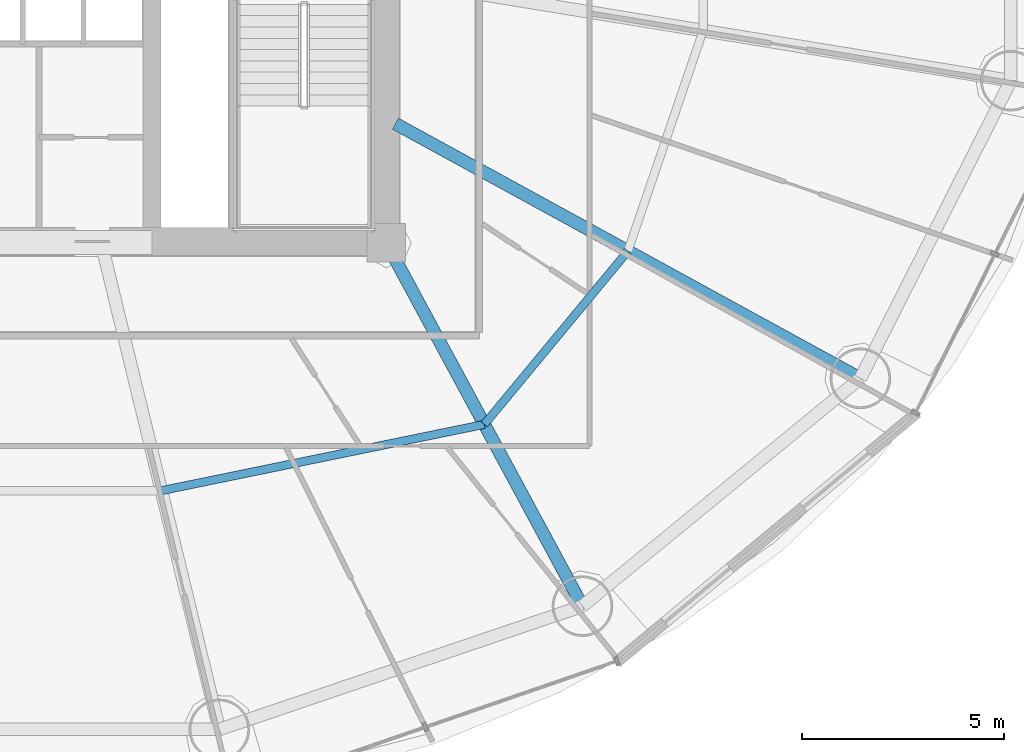
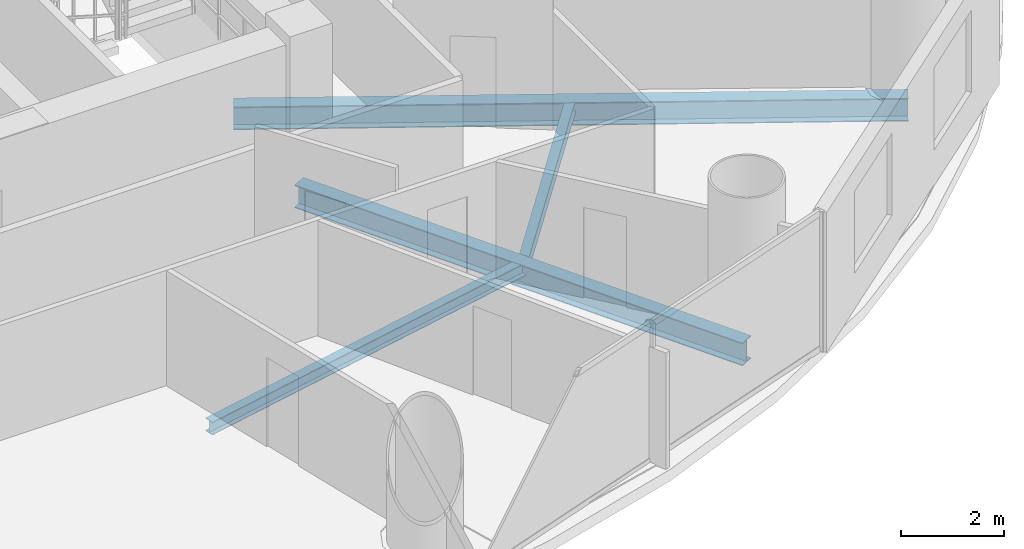
# One storey, part 12 of 29: 4 beams.
"""IFC4 building model written with IfcOpenShell, lengths in metres."""

from ifc_helpers import new_model, si_unit, direction, frame, origin, origin_2d, place, context, subcontext, project, spatial, i_section, extrude, material, material_profile, profile_set, type_object, element, save


model = new_model("IFC4")

# Units and contexts
model_context = context("Model", 3, precision=1e-05, world=origin(), true_north=direction((-0.2419218956, 0.970295726276)))
body_context = subcontext(model_context, "Body", "Model", "MODEL_VIEW")
ifc_project = project(units=[si_unit("LENGTHUNIT", "METRE"), si_unit("AREAUNIT", "SQUARE_METRE"), si_unit("VOLUMEUNIT", "CUBIC_METRE"), si_unit("PLANEANGLEUNIT", "RADIAN"), si_unit("MASSUNIT", "GRAM", prefix="KILO")], contexts=[model_context])

# Site, building, storey
site_placement = place(None, origin())
site = spatial("IfcSite", under=ifc_project, at=site_placement, CompositionType="ELEMENT")
building_placement = place(site_placement, origin())
building = spatial("IfcBuilding", under=site, at=building_placement, Name="Cobrevalo Terracotta Tower", CompositionType="ELEMENT")
storey_placement = place(building_placement, frame((0.0, 0.0, 112.199951171875)))
storey = spatial("IfcBuildingStorey", under=building, at=storey_placement, Name="L29", CompositionType="ELEMENT", Elevation=112.199951171875)

# Beams
ifc_material = material(Name="Steel S355", Category="steel")
ifc_material_profile_1 = material_profile(ifc_material, i_section(OverallWidth=0.31201171875, OverallDepth=0.54296875, WebThickness=0.0126953125, FlangeThickness=0.020263671875, at=origin_2d()), Name="W 530x150")
ifc_profile_set_1 = profile_set([ifc_material_profile_1], Name="Steel S355")
beam_type_1 = type_object("IfcBeamType", Name="Structural Beam W 530x150 (Steel S355)", PredefinedType="BEAM", material=ifc_profile_set_1)
beam_1_placement = place(storey_placement, frame((51.861572265625, 9.79638671875, -0.54638671875), z_axis=(-0.475118249298, 0.879921956303, 0.0), x_axis=(-0.879921956303, -0.475118249298, 0.0)))
element("IfcBeam", 1, at=beam_1_placement, inside=storey, type_object=beam_type_1, Name="L29 radial floor girder 14", PredefinedType="BEAM", context=body_context, shape_type="SweptSolid", body=[
    extrude(i_section(OverallWidth=0.31201171875, OverallDepth=0.54296875, WebThickness=0.0126953125, FlangeThickness=0.020263671875, at=origin_2d()), origin(), (0.0, 0.0, 1.0), 10.232421875),
])
beam_2_placement = place(storey_placement, frame((58.7451171875, 15.4384765625, -0.54638671875), z_axis=(-0.877072765004, 0.480357538599, 0.0), x_axis=(-0.480357538599, -0.877072765004, 0.0)))
element("IfcBeam", 2, at=beam_2_placement, inside=storey, type_object=beam_type_1, Name="L29 radial floor girder 15", PredefinedType="BEAM", context=body_context, shape_type="SweptSolid", body=[
    extrude(i_section(OverallWidth=0.31201171875, OverallDepth=0.54296875, WebThickness=0.0126953125, FlangeThickness=0.020263671875, at=origin_2d()), origin(), (0.0, 0.0, 1.0), 13.129150390625),
])
ifc_material_profile_2 = material_profile(ifc_material, i_section(OverallWidth=0.2041015625, OverallDepth=0.305908203125, WebThickness=0.008544921875, FlangeThickness=0.0146484375, at=origin_2d()), Name="W 310x67")
ifc_profile_set_2 = profile_set([ifc_material_profile_2], Name="Steel S355")
beam_type_2 = type_object("IfcBeamType", Name="Structural Joist W 310x67 (Steel S355)", PredefinedType="JOIST", material=ifc_profile_set_2)
beam_3_placement = place(storey_placement, frame((41.432373046875, 12.656494140625, -0.427978515625), z_axis=(0.979574469315, 0.201081722357, 0.0), x_axis=(-0.201081722357, 0.979574469315, 0.0)))
element("IfcBeam", 3, at=beam_3_placement, inside=storey, type_object=beam_type_2, Name="L29 circumferential secondary floor joist 13", PredefinedType="JOIST", context=body_context, shape_type="SweptSolid", body=[
    extrude(i_section(OverallWidth=0.2041015625, OverallDepth=0.305908203125, WebThickness=0.008544921875, FlangeThickness=0.0146484375, at=origin_2d()), origin(), (0.0, 0.0, 1.0), 8.1650390625),
])
beam_4_placement = place(storey_placement, frame((49.4306640625, 14.29833984375, -0.427978515625), z_axis=(0.6379592588, 0.77007011636, 0.0), x_axis=(-0.77007011636, 0.6379592588, 0.0)))
element("IfcBeam", 4, at=beam_4_placement, inside=storey, type_object=beam_type_2, Name="L29 circumferential secondary floor joist 14", PredefinedType="JOIST", context=body_context, shape_type="SweptSolid", body=[
    extrude(i_section(OverallWidth=0.2041015625, OverallDepth=0.305908203125, WebThickness=0.008544921875, FlangeThickness=0.0146484375, at=origin_2d()), origin(), (0.0, 0.0, 1.0), 5.575439453125),
])

save(model, "model.ifc")
